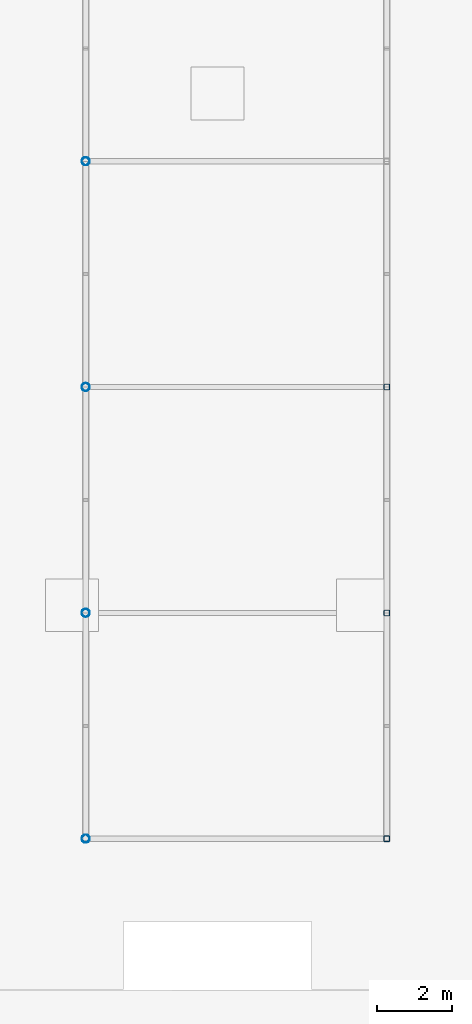
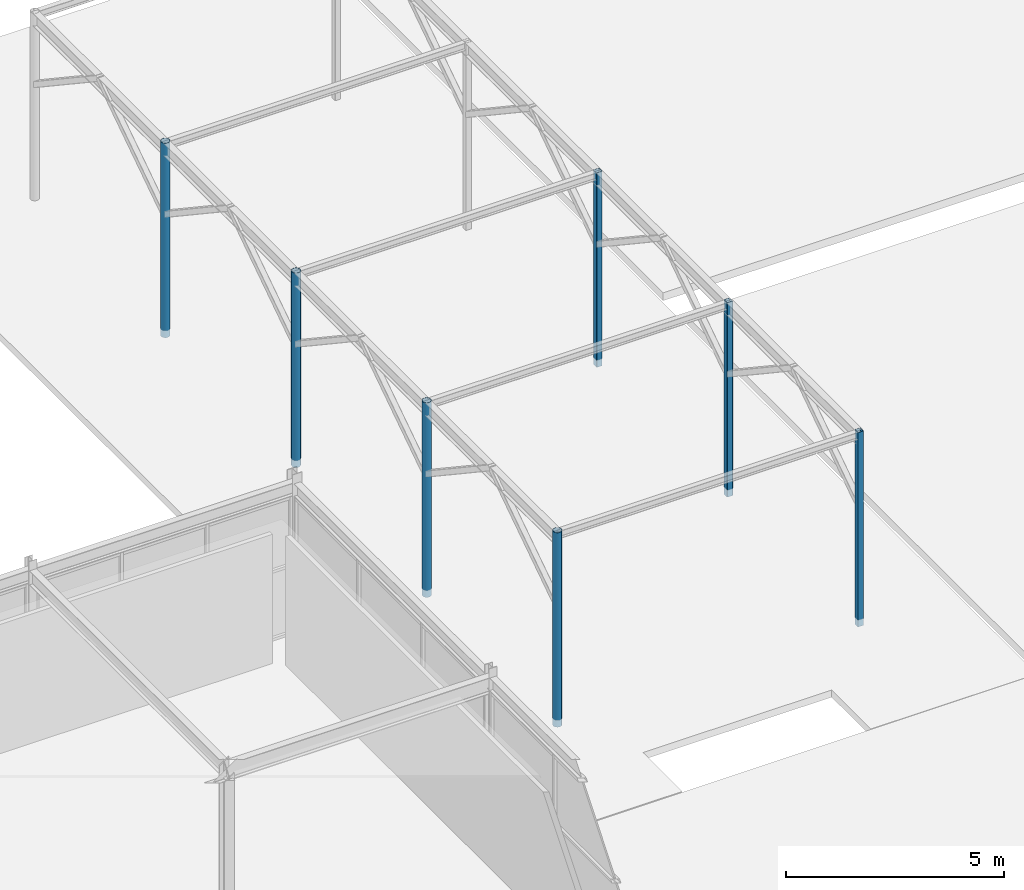
# One storey, part 15 of 119: 7 columns.
"""IFC4 building model written with IfcOpenShell, lengths in metres."""

import ifcopenshell
import ifcopenshell.guid

model = None  # the IFC model being written
_history = None  # IfcOwnerHistory: only IFC2X3 demands one
_inside = {}  # id of a spatial element -> (the spatial element, [elements in it])
_under = {}  # id of a project, library or spatial element -> (it, [spatial elements below it])
_declared = {}  # id of a project -> (the project, [libraries it declares])
_typed = {}  # id of a type object -> (the type object, [elements of that type])
_made_of = {}  # id of a material, layer set ... -> (it, [elements and type objects made of it])


def new_model(schema):
    """Start an empty IFC model of exactly this schema.

    Asked for "IFC4X3", IfcOpenShell would pick the latest addendum, in which some entities
    have other attributes; the version numbers below select the first issue.
    IFC2X3 requires an IfcOwnerHistory on every rooted entity: one is made here for all.
    """
    global model, _history
    if schema == "IFC4X3":
        model = ifcopenshell.file(schema_version=(4, 3, 0, 0))
    else:
        model = ifcopenshell.file(schema=schema)
    _inside.clear()
    _under.clear()
    _declared.clear()
    _typed.clear()
    _made_of.clear()
    _history = None
    if model.schema == "IFC2X3":
        org = make("IfcOrganization", Name="unknown")
        user = make(
            "IfcPersonAndOrganization",
            ThePerson=make("IfcPerson", FamilyName="unknown"),
            TheOrganization=org,
        )
        app = make(
            "IfcApplication",
            ApplicationDeveloper=org,
            Version="unknown",
            ApplicationFullName="unknown",
            ApplicationIdentifier="unknown",
        )
        _history = make(
            "IfcOwnerHistory",
            OwningUser=user,
            OwningApplication=app,
            ChangeAction="ADDED",
            CreationDate=0,
        )
    return model


def make(cls, **values):
    """One entity of the class cls with the attributes given. An attribute that is None is left unset."""
    return model.create_entity(
        cls, **{name: value for name, value in values.items() if value is not None}
    )


def rooted(cls, **values):
    """An entity with a GlobalId (a new one), such as an element, a storey or a relation."""
    return make(cls, GlobalId=ifcopenshell.guid.new(), OwnerHistory=_history, **values)


def si_unit(unit_type, name, prefix=None):
    """IfcSIUnit, for example si_unit("LENGTHUNIT", "METRE", prefix="MILLI")."""
    return make("IfcSIUnit", UnitType=unit_type, Prefix=prefix, Name=name)


def derived_unit(unit_type, elements):
    """IfcDerivedUnit: a product of units, each with its exponent."""
    return make(
        "IfcDerivedUnit",
        Elements=[
            make("IfcDerivedUnitElement", Unit=unit, Exponent=power)
            for unit, power in elements
        ],
        UnitType=unit_type,
    )


def assignment(units):
    """IfcUnitAssignment: the units of a project."""
    return None if units is None else make("IfcUnitAssignment", Units=units)


def point(xyz):
    """IfcCartesianPoint."""
    return None if xyz is None else make("IfcCartesianPoint", Coordinates=xyz)


def direction(xyz):
    """IfcDirection."""
    return None if xyz is None else make("IfcDirection", DirectionRatios=xyz)


def frame(location, z_axis=None, x_axis=None):
    """IfcAxis2Placement3D, a coordinate frame: its origin and axes. An axis left out is left unset."""
    return make(
        "IfcAxis2Placement3D",
        Location=point(location),
        Axis=direction(z_axis),
        RefDirection=direction(x_axis),
    )


def frame_2d(location, x_axis=None):
    """IfcAxis2Placement2D, a coordinate frame in the plane: its origin and x axis."""
    return make(
        "IfcAxis2Placement2D", Location=point(location), RefDirection=direction(x_axis)
    )


def origin():
    """The frame at (0, 0, 0) with its axes left unset."""
    return frame((0.0, 0.0, 0.0))


def origin_2d_with_axis():
    """The frame at (0, 0) in the plane with the x axis (1, 0) written out."""
    return frame_2d((0.0, 0.0), x_axis=(1.0, 0.0))


def place(relative_to, where):
    """IfcLocalPlacement: puts the frame where relative to a parent placement (None: the world)."""
    return make(
        "IfcLocalPlacement", PlacementRelTo=relative_to, RelativePlacement=where
    )


def context(
    kind, dimensions, precision=None, world=None, true_north=None, identifier=None
):
    """IfcGeometricRepresentationContext, for example the 3D "Model" context."""
    return make(
        "IfcGeometricRepresentationContext",
        ContextIdentifier=identifier,
        ContextType=kind,
        CoordinateSpaceDimension=dimensions,
        Precision=precision,
        WorldCoordinateSystem=world,
        TrueNorth=true_north,
    )


def subcontext(parent, identifier, kind, view, scale=None):
    """IfcGeometricRepresentationSubContext, for example "Body" below "Model"."""
    return make(
        "IfcGeometricRepresentationSubContext",
        ContextIdentifier=identifier,
        ContextType=kind,
        ParentContext=parent,
        TargetScale=scale,
        TargetView=view,
    )


def project(units=None, contexts=None):
    """IfcProject with its units and contexts."""
    return rooted(
        "IfcProject",
        Name="project",
        RepresentationContexts=contexts,
        UnitsInContext=assignment(units),
    )


def spatial(cls, under=None, at=None, **own):
    """A site, building, storey or space (cls), placed at a placement, below another one or the project."""
    s = rooted(cls, ObjectPlacement=at, **own)
    if under is not None:
        _under.setdefault(under.id(), (under, []))[1].append(s)
    return s


def profile(cls, at=None, kind="AREA", **sizes):
    """A parametric profile (cls). Its sizes go by their IFC names, for example OverallWidth=200.0."""
    return make(cls, ProfileType=kind, Position=at, **sizes)


def hollow_rectangle(**sizes):
    """IfcRectangleHollowProfileDef."""
    return profile("IfcRectangleHollowProfileDef", **sizes)


def hollow_circle(**sizes):
    """IfcCircleHollowProfileDef."""
    return profile("IfcCircleHollowProfileDef", **sizes)


def extrude(swept, where, along, depth):
    """IfcExtrudedAreaSolid: the profile swept, set in the frame where, extruded along a direction by depth."""
    return make(
        "IfcExtrudedAreaSolid",
        SweptArea=swept,
        Position=where,
        ExtrudedDirection=direction(along),
        Depth=depth,
    )


def shape(context_of_items, identifier, shape_type, items):
    """IfcShapeRepresentation: the items that make up one representation, for example the "Body"."""
    return make(
        "IfcShapeRepresentation",
        ContextOfItems=context_of_items,
        RepresentationIdentifier=identifier,
        RepresentationType=shape_type,
        Items=items,
    )


def material(Name=None, Category=None):
    """IfcMaterial."""
    return make("IfcMaterial", Name=Name, Category=Category)


def material_profile(
    of_material, cross_section, Name=None, Category=None, Priority=None
):
    """IfcMaterialProfile: a cross section and its material."""
    return make(
        "IfcMaterialProfile",
        Name=Name,
        Material=of_material,
        Profile=cross_section,
        Priority=Priority,
        Category=Category,
    )


def profile_set(profiles, Name=None, composite=None):
    """IfcMaterialProfileSet."""
    return make(
        "IfcMaterialProfileSet",
        Name=Name,
        MaterialProfiles=profiles,
        CompositeProfile=composite,
    )


def made_of(thing, what):
    """Note that an element or type object is made of a material, layer set ...; save() writes the relation."""
    if what is not None:
        _made_of.setdefault(what.id(), (what, []))[1].append(thing)
    return thing


def type_object(cls, material=None, **own):
    """A type object (cls), such as IfcWallType, which elements share."""
    return made_of(rooted(cls, **own), material)


def element(
    cls,
    number,
    at=None,
    inside=None,
    cuts=None,
    type_object=None,
    material=None,
    context=None,
    identifier="Body",
    shape_type=None,
    held_by="IfcProductDefinitionShape",
    body=None,
    shapes=None,
    **own,
):
    """One element of the class cls, such as IfcWall. Its Tag is "e" and its number.

    at: its placement. inside: the storey or other place that contains it. cuts: it is an
    opening in that element (IfcRelVoidsElement). A single representation is given by context,
    identifier, shape_type and body (its items); several are given by shapes. held_by: the class
    of the entity that holds the representations. save() writes the other relations.
    """
    e = rooted(cls, Tag="e%d" % number, ObjectPlacement=at, **own)
    if body is not None:
        shapes = [shape(context, identifier, shape_type, body)]
    if shapes is not None:
        e.Representation = make(held_by, Representations=shapes)
    if inside is not None:
        _inside.setdefault(inside.id(), (inside, []))[1].append(e)
    if cuts is not None:
        rooted(
            "IfcRelVoidsElement", RelatingBuildingElement=cuts, RelatedOpeningElement=e
        )
    if type_object is not None:
        _typed.setdefault(type_object.id(), (type_object, []))[1].append(e)
    return made_of(e, material)


def aggregate(whole, parts):
    """IfcRelAggregates: a whole, such as a stair, and the parts it consists of."""
    return rooted("IfcRelAggregates", RelatingObject=whole, RelatedObjects=parts)


def save(model, path):
    """Write the relations noted so far, then the file.

    IfcRelAggregates (storeys below a building ...), IfcRelContainedInSpatialStructure (elements
    in a storey), IfcRelDefinesByType, IfcRelAssociatesMaterial and IfcRelDeclares: one each for
    every whole, place, type object, material and project.
    """
    for whole, parts in _under.values():
        aggregate(whole, parts)
    for where, things in _inside.values():
        rooted(
            "IfcRelContainedInSpatialStructure",
            RelatedElements=things,
            RelatingStructure=where,
        )
    for kind, things in _typed.values():
        rooted("IfcRelDefinesByType", RelatedObjects=things, RelatingType=kind)
    for what, things in _made_of.values():
        rooted("IfcRelAssociatesMaterial", RelatedObjects=things, RelatingMaterial=what)
    for by, libraries in _declared.values():
        rooted("IfcRelDeclares", RelatingContext=by, RelatedDefinitions=libraries)
    model.write(path)


model = new_model("IFC4")

# Units and contexts
model_context = context("Model", 3, precision=1e-05, world=origin(), true_north=direction((0.0, 1.0)))
body_context = subcontext(model_context, "Body", "Model", "MODEL_VIEW")
ifc_project = project(units=[si_unit("LENGTHUNIT", "METRE"), si_unit("AREAUNIT", "SQUARE_METRE"), si_unit("VOLUMEUNIT", "CUBIC_METRE"), si_unit("PLANEANGLEUNIT", "RADIAN"), si_unit("MASSUNIT", "GRAM", prefix="KILO"), derived_unit("THERMALTRANSMITTANCEUNIT", [(si_unit("POWERUNIT", "WATT"), 1), (si_unit("LENGTHUNIT", "METRE"), -2), (si_unit("THERMODYNAMICTEMPERATUREUNIT", "KELVIN"), -1)])], contexts=[model_context])

# Site, building, storey
site_placement = place(None, origin())
site = spatial("IfcSite", under=ifc_project, at=site_placement, CompositionType="ELEMENT")
building_placement = place(site_placement, origin())
building = spatial("IfcBuilding", under=site, at=building_placement, Name="Cinnabar Yard Market Hall", CompositionType="ELEMENT")
storey_placement = place(building_placement, origin())
storey = spatial("IfcBuildingStorey", under=building, at=storey_placement, Name="L00", CompositionType="ELEMENT", Elevation=0.0)

# Columns
ifc_material_1 = material(Name="Spotted-gum glulam-clad steel Grade 350 (350 MPa)", Category="steel")
ifc_material_profile_1 = material_profile(ifc_material_1, hollow_circle(Radius=0.109619140625, WallThickness=0.00830078125, at=origin_2d_with_axis()), Name="219.1x8.2CHS")
ifc_profile_set_1 = profile_set([ifc_material_profile_1], Name="Spotted-gum glulam-clad steel Grade 350 (350 MPa)")
column_type_1 = type_object("IfcColumnType", Name="COL-C05E", PredefinedType="COLUMN", material=ifc_profile_set_1)
for number, where, z_axis, x_axis, name in (
    (1, (55.5, 78.0, -0.199951171875), (0.0, 0.0, 1.0), (1.0, 0.0, 0.0), "Passage Colonnade Post V5W-A1"),
    (2, (55.5, 84.0, -0.199951171875), (0.0, 0.0, 1.0), (1.0, 0.0, 0.0), "Passage Colonnade Post V5W-A2"),
    (3, (55.5, 90.0, -0.199951171875), (0.0, 0.0, 1.0), (1.0, 0.0, 0.0), "Passage Colonnade Post V5W-A3"),
    (4, (55.5, 96.0, -0.199951171875), (0.0, 0.0, 1.0), (1.0, 0.0, 0.0), "Passage Colonnade Post V5W-A4"),
):
    element("IfcColumn", number, at=place(storey_placement, frame(where, z_axis=z_axis, x_axis=x_axis)), inside=storey, type_object=column_type_1, Name=name, PredefinedType="COLUMN", context=body_context, shape_type="SweptSolid", body=[
        extrude(hollow_circle(Radius=0.109619140625, WallThickness=0.00830078125, at=origin_2d_with_axis()), origin(), (0.0, 0.0, 1.0), 5.449951171875),
    ])
ifc_material_2 = material(Name="Cold-formed steel C350L0", Category="steel")
ifc_material_profile_2 = material_profile(ifc_material_2, hollow_rectangle(XDim=0.14990234375, YDim=0.14990234375, WallThickness=0.006103515625, InnerFilletRadius=0.006103515625, OuterFilletRadius=0.011962890625, at=origin_2d_with_axis()), Name="150x150x6.0SHS")
ifc_profile_set_2 = profile_set([ifc_material_profile_2], Name="Cold-formed steel C350L0")
column_type_2 = type_object("IfcColumnType", Name="COL-C16E", PredefinedType="COLUMN", material=ifc_profile_set_2)
for number, where, z_axis, x_axis, name in (
    (5, (63.5, 78.0, -0.199951171875), (0.0, 0.0, 1.0), (1.0, 0.0, 0.0), "Passage Colonnade Post V5W-B1"),
    (6, (63.5, 84.0, -0.199951171875), (0.0, 0.0, 1.0), (1.0, 0.0, 0.0), "Passage Colonnade Post V5W-B2"),
    (7, (63.5, 90.0, -0.199951171875), (0.0, 0.0, 1.0), (1.0, 0.0, 0.0), "Passage Colonnade Post V5W-B3"),
):
    element("IfcColumn", number, at=place(storey_placement, frame(where, z_axis=z_axis, x_axis=x_axis)), inside=storey, type_object=column_type_2, Name=name, PredefinedType="COLUMN", context=body_context, shape_type="SweptSolid", body=[
        extrude(hollow_rectangle(XDim=0.14990234375, YDim=0.14990234375, WallThickness=0.006103515625, InnerFilletRadius=0.006103515625, OuterFilletRadius=0.011962890625, at=origin_2d_with_axis()), origin(), (0.0, 0.0, 1.0), 5.449951171875),
    ])

save(model, "model.ifc")
